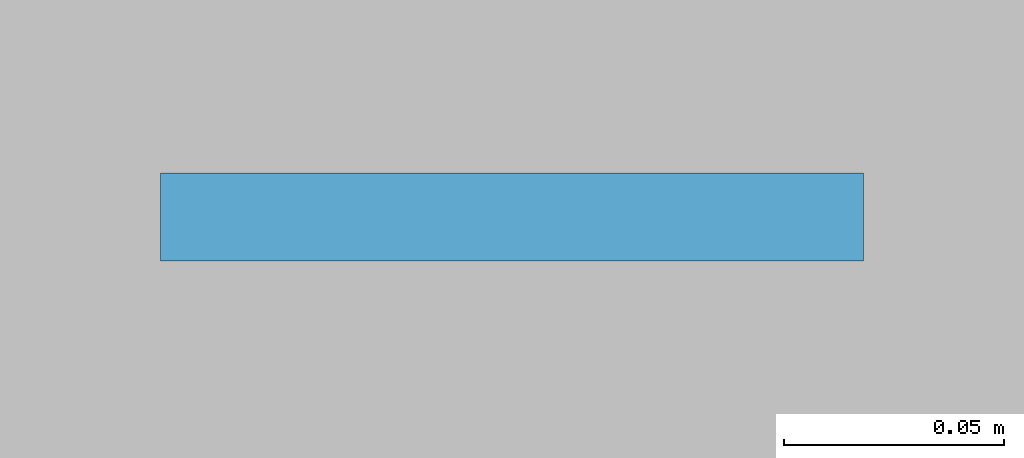
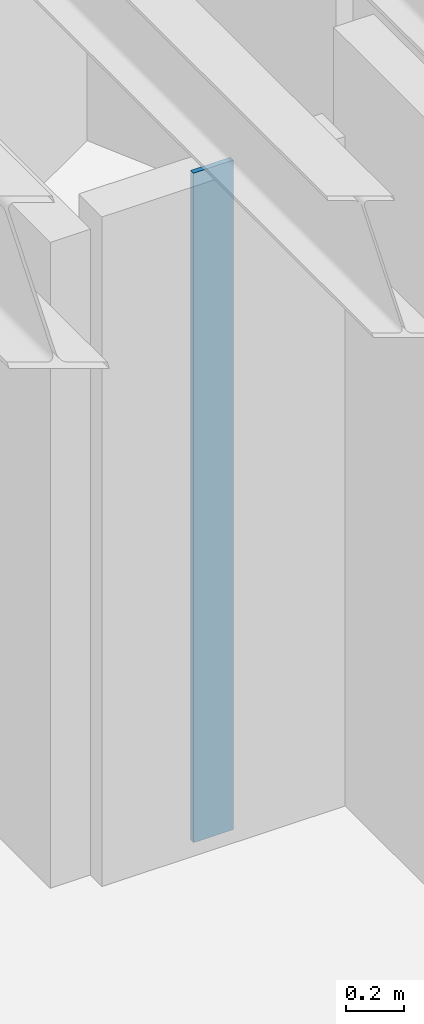
# One storey, part 4 of 12: 1 plate.
"""IFC4 building model written with IfcOpenShell, lengths in metres."""

from ifc_helpers import new_model, si_unit, direction, frame, origin, origin_2d, place, context, subcontext, project, spatial, rectangle, extrude, material, layer, layer_set, type_object, element, save


model = new_model("IFC4")

# Units and contexts
model_context = context("Model", 3, precision=1e-05, world=origin(), true_north=direction((0.0, 1.0)))
body_context = subcontext(model_context, "Body", "Model", "MODEL_VIEW")
ifc_project = project(units=[si_unit("LENGTHUNIT", "METRE"), si_unit("AREAUNIT", "SQUARE_METRE"), si_unit("VOLUMEUNIT", "CUBIC_METRE"), si_unit("PLANEANGLEUNIT", "RADIAN"), si_unit("MASSUNIT", "GRAM", prefix="KILO")], contexts=[model_context])

# Site, building, storey
site_placement = place(None, origin())
site = spatial("IfcSite", under=ifc_project, at=site_placement, CompositionType="ELEMENT")
building_placement = place(site_placement, origin())
building = spatial("IfcBuilding", under=site, at=building_placement, Name="Miruveldt Soraemaru", CompositionType="ELEMENT")
storey_placement = place(building_placement, frame((0.0, 0.0, 107.39990234375)))
storey = spatial("IfcBuildingStorey", under=building, at=storey_placement, Name="L29", CompositionType="ELEMENT", Elevation=107.39990234375)

# Plate
ifc_material = material(Name="Anodised aluminium EN AW-6063 T6", Category="aluminium")
ifc_layer = layer(ifc_material, 0.02001953125, Name="Anodised aluminium EN AW-6063 T6", Category="aluminium")
ifc_layer_set = layer_set([ifc_layer], Name="Anodised aluminium EN AW-6063 T6")
plate_type = type_object("IfcPlateType", Name="PLT-PART-TRIM", PredefinedType="SHEET", material=ifc_layer_set)
plate_placement = place(storey_placement, frame((57.614990234375, 47.7490234375, 0.0), z_axis=(0.0, 0.0, 1.0), x_axis=(-1.0, 0.0, 0.0)))
element("IfcPlate", 1, at=plate_placement, inside=storey, type_object=plate_type, Name="L29 Partition Step Corner Trim Plate 064", PredefinedType="SHEET", context=body_context, shape_type="SweptSolid", body=[
    extrude(rectangle(XDim=0.159912109375, YDim=0.02001953125, at=origin_2d()), origin(), (0.0, 0.0, 1.0), 2.822998046875),
])

save(model, "model.ifc")
